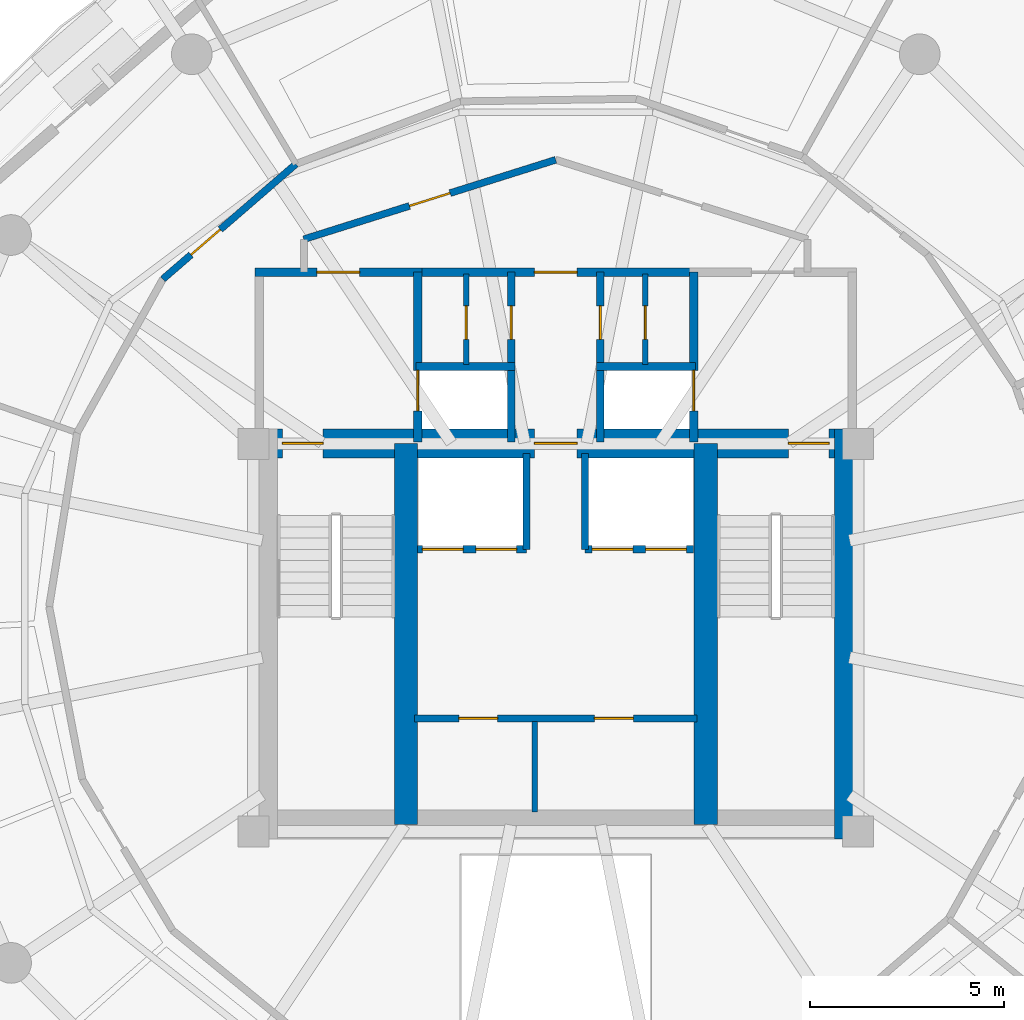
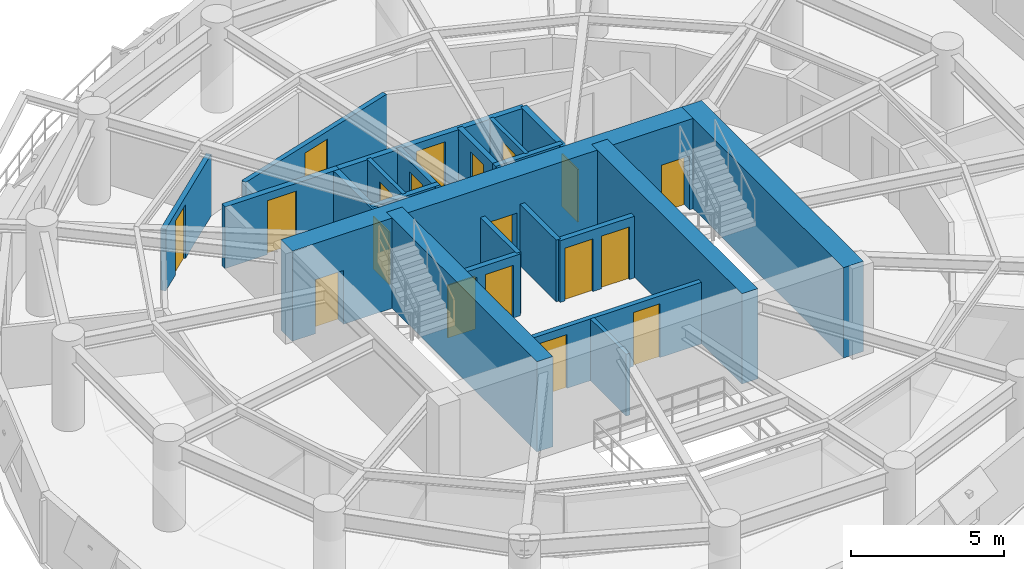
# One storey, part 8 of 12: 22 walls, 19 doors, 19 openings.
"""IFC4 building model written with IfcOpenShell, lengths in metres."""

from ifc_helpers import new_model, si_unit, direction, frame, frame_2d, origin, place, context, subcontext, project, spatial, rectangle, extrude, material, layer, layer_set, type_object, element, fill, save


model = new_model("IFC4")

# Units and contexts
model_context = context("Model", 3, precision=1e-05, world=origin(), true_north=direction((0.0, 1.0)))
body_context = subcontext(model_context, "Body", "Model", "MODEL_VIEW")
ifc_project = project(units=[si_unit("LENGTHUNIT", "METRE"), si_unit("AREAUNIT", "SQUARE_METRE"), si_unit("VOLUMEUNIT", "CUBIC_METRE"), si_unit("PLANEANGLEUNIT", "RADIAN"), si_unit("MASSUNIT", "GRAM", prefix="KILO"), si_unit("THERMODYNAMICTEMPERATUREUNIT", "KELVIN"), si_unit("POWERUNIT", "WATT")], contexts=[model_context])

# Site, building, storey
site_placement = place(None, origin())
site = spatial("IfcSite", under=ifc_project, at=site_placement, CompositionType="ELEMENT")
building_placement = place(site_placement, origin())
building = spatial("IfcBuilding", under=site, at=building_placement, Name="Ocrelia Relay Tower", CompositionType="ELEMENT")
storey_placement = place(building_placement, frame((0.0, 0.0, 202.39990234375)))
storey = spatial("IfcBuildingStorey", under=building, at=storey_placement, Name="L49", CompositionType="ELEMENT", Elevation=202.39990234375)

# Wall, openings, doors
ifc_material_1 = material(Name="Concrete C60/75", Category="concrete")
ifc_layer_1 = layer(ifc_material_1, 0.75, Name="Concrete C60/75")
ifc_layer_set_1 = layer_set([ifc_layer_1], Name="Concrete C60/75")
wall_type_1 = type_object("IfcWallType", Name="CW-CORE-750", PredefinedType="SHEAR", material=ifc_layer_set_1)
wall_1_placement = place(storey_placement, frame((26.072021484375, 30.012939453125, 0.0), z_axis=(0.0, 0.0, 1.0), x_axis=(1.0, 0.0, 0.0)))
wall_1 = element("IfcWall", 1, at=wall_1_placement, inside=storey, type_object=wall_type_1, Name="L49 Core Shear Wall N", PredefinedType="SHEAR", context=body_context, shape_type="SweptSolid", body=[
    extrude(rectangle(XDim=15.865966796875, YDim=0.75, at=frame_2d((7.93310546875, 0.0))), origin(), (0.0, 0.0, 1.0), 3.60009765625),
])
opening_1_placement = place(wall_1_placement, frame((0.8779296875, 0.0, 0.0)))
opening_1 = element("IfcOpeningElement", 2, at=opening_1_placement, cuts=wall_1, Name="Opening D-FD90", PredefinedType="OPENING", context=body_context, shape_type="SweptSolid", body=[
    extrude(rectangle(XDim=1.050048828125, YDim=2.14990234375, at=frame_2d((0.52490234375, 1.074951171875))), frame((0.0, 0.385009765625, 0.0), z_axis=(0.0, -1.0, 0.0), x_axis=(1.0, 0.0, 0.0)), (0.0, 0.0, 1.0), 0.77001953125),
])
opening_2_placement = place(wall_1_placement, frame((13.927978515625, 0.0, 0.0)))
opening_2 = element("IfcOpeningElement", 3, at=opening_2_placement, cuts=wall_1, Name="Opening D-FD90", PredefinedType="OPENING", context=body_context, shape_type="SweptSolid", body=[
    extrude(rectangle(XDim=1.050048828125, YDim=2.14990234375, at=frame_2d((0.52490234375, 1.074951171875))), frame((0.0, 0.385009765625, 0.0), z_axis=(0.0, -1.0, 0.0), x_axis=(1.0, 0.0, 0.0)), (0.0, 0.0, 1.0), 0.77001953125),
])
opening_3_placement = place(wall_1_placement, frame((7.3779296875, 0.0, 0.0)))
opening_3 = element("IfcOpeningElement", 4, at=opening_3_placement, cuts=wall_1, Name="Opening D-FD60", PredefinedType="OPENING", context=body_context, shape_type="SweptSolid", body=[
    extrude(rectangle(XDim=1.10009765625, YDim=2.14990234375, at=frame_2d((0.550048828125, 1.074951171875))), frame((0.0, 0.385009765625, 0.0), z_axis=(0.0, -1.0, 0.0), x_axis=(1.0, 0.0, 0.0)), (0.0, 0.0, 1.0), 0.77001953125),
])
ifc_material_2 = material(Name="Timber-core 60-min acoustic fire door", Category="wood")
door_type_1 = type_object("IfcDoorType", Name="DR-LOBBY-FD60-1100", OperationType="NOTDEFINED", PredefinedType="DOOR", material=ifc_material_2)
door_1_placement = place(opening_3_placement, origin())
door_1 = element("IfcDoor", 5, at=door_1_placement, inside=storey, type_object=door_type_1, Name="L49 Core Lift Lobby North Fire Door", OperationType="SINGLE_SWING_RIGHT", OverallHeight=2.14990234375, OverallWidth=1.10009765625, PredefinedType="DOOR", context=body_context, shape_type="SweptSolid", body=[
    extrude(rectangle(XDim=1.10009765625, YDim=2.14990234375, at=frame_2d((0.550048828125, 1.074951171875))), frame((0.0, 0.02490234375, 0.0), z_axis=(0.0, -1.0, 0.0), x_axis=(1.0, 0.0, 0.0)), (0.0, 0.0, 1.0), 0.050048828125),
])
fill(opening_3, door_1)
ifc_material_3 = material(Name="Steel S355 90-min fire door", Category="steel")
door_type_2 = type_object("IfcDoorType", Name="DR-STAIR-FD90-1050", OperationType="NOTDEFINED", PredefinedType="DOOR", material=ifc_material_3)
door_2_placement = place(opening_1_placement, origin())
door_2 = element("IfcDoor", 6, at=door_2_placement, inside=storey, type_object=door_type_2, Name="L49 Stair ST1 Fire Door", OperationType="SINGLE_SWING_RIGHT", OverallHeight=2.14990234375, OverallWidth=1.050048828125, PredefinedType="DOOR", context=body_context, shape_type="SweptSolid", body=[
    extrude(rectangle(XDim=1.050048828125, YDim=2.14990234375, at=frame_2d((0.52490234375, 1.074951171875))), frame((0.0, 0.02490234375, 0.0), z_axis=(0.0, -1.0, 0.0), x_axis=(1.0, 0.0, 0.0)), (0.0, 0.0, 1.0), 0.050048828125),
])
fill(opening_1, door_2)
door_3_placement = place(opening_2_placement, origin())
door_3 = element("IfcDoor", 7, at=door_3_placement, inside=storey, type_object=door_type_2, Name="L49 Stair ST2 Fire Door", OperationType="SINGLE_SWING_LEFT", OverallHeight=2.14990234375, OverallWidth=1.050048828125, PredefinedType="DOOR", context=body_context, shape_type="SweptSolid", body=[
    extrude(rectangle(XDim=1.050048828125, YDim=2.14990234375, at=frame_2d((0.52490234375, 1.074951171875))), frame((0.0, 0.02490234375, 0.0), z_axis=(0.0, -1.0, 0.0), x_axis=(1.0, 0.0, 0.0)), (0.0, 0.0, 1.0), 0.050048828125),
])
fill(opening_2, door_3)

# Walls
wall_2_placement = place(storey_placement, frame((41.56298828125, 19.81201171875, 0.0), z_axis=(0.0, 0.0, 1.0), x_axis=(0.0, 1.0, 0.0)))
element("IfcWall", 8, at=wall_2_placement, inside=storey, type_object=wall_type_1, Name="L49 Core Shear Wall E", PredefinedType="SHEAR", context=body_context, shape_type="SweptSolid", body=[
    extrude(rectangle(XDim=10.575927734375, YDim=0.75, at=frame_2d((5.2880859375, 0.0))), origin(), (0.0, 0.0, 1.0), 3.60009765625),
])
for number, where, z_axis, x_axis, name in (
    (9, (30.137939453125, 20.18701171875, 0.0), (0.0, 0.0, 1.0), (0.0, 1.0, 0.0), "L49 Core Shear Wall SPW"),
    (10, (37.8720703125, 20.18701171875, 0.0), (0.0, 0.0, 1.0), (0.0, 1.0, 0.0), "L49 Core Shear Wall SPE"),
):
    element("IfcWall", number, at=place(storey_placement, frame(where, z_axis=z_axis, x_axis=x_axis)), inside=storey, type_object=wall_type_1, Name=name, PredefinedType="SHEAR", context=body_context, shape_type="SweptSolid", body=[
        extrude(rectangle(XDim=9.825927734375, YDim=0.60009765625, at=frame_2d((4.9130859375, 0.0))), origin(), (0.0, 0.0, 1.0), 3.60009765625),
    ])

# Wall, openings, doors
ifc_material_4 = material(Name="Gypsum Fireboard Partition EI60", Category="gypsum")
ifc_layer_2 = layer(ifc_material_4, 0.179931640625, Name="Gypsum Fireboard Partition EI60")
ifc_layer_set_2 = layer_set([ifc_layer_2], Name="Gypsum Fireboard Partition EI60")
wall_type_2 = type_object("IfcWallType", Name="W-CORR-EI60-180", PredefinedType="PARTITIONING", material=ifc_layer_set_2)
wall_3_placement = place(storey_placement, frame((30.35009765625, 22.919921875, 0.0), z_axis=(0.0, 0.0, 1.0), x_axis=(1.0, 0.0, 0.0)))
wall_3 = element("IfcWall", 11, at=wall_3_placement, inside=storey, type_object=wall_type_2, Name="L49 Reclaimed Core Room Partition", PredefinedType="PARTITIONING", context=body_context, shape_type="SweptSolid", body=[
    extrude(rectangle(XDim=7.2998046875, YDim=0.179931640625, at=frame_2d((3.64990234375, 0.0))), origin(), (0.0, 0.0, 1.0), 2.460205078125),
])
opening_4_placement = place(wall_3_placement, frame((1.14990234375, 0.0, 0.0)))
opening_4 = element("IfcOpeningElement", 12, at=opening_4_placement, cuts=wall_3, Name="Opening D-RM100", PredefinedType="OPENING", context=body_context, shape_type="SweptSolid", body=[
    extrude(rectangle(XDim=1.0, YDim=2.14990234375, at=frame_2d((0.5, 1.074951171875))), frame((0.0, 0.10009765625, 0.0), z_axis=(0.0, -1.0, 0.0), x_axis=(1.0, 0.0, 0.0)), (0.0, 0.0, 1.0), 0.199951171875),
])
opening_5_placement = place(wall_3_placement, frame((4.64990234375, 0.0, 0.0)))
opening_5 = element("IfcOpeningElement", 13, at=opening_5_placement, cuts=wall_3, Name="Opening D-RM100", PredefinedType="OPENING", context=body_context, shape_type="SweptSolid", body=[
    extrude(rectangle(XDim=1.0, YDim=2.14990234375, at=frame_2d((0.5, 1.074951171875))), frame((0.0, 0.10009765625, 0.0), z_axis=(0.0, -1.0, 0.0), x_axis=(1.0, 0.0, 0.0)), (0.0, 0.0, 1.0), 0.199951171875),
])
ifc_material_5 = material(Name="Acoustic oak veneer fire door", Category="wood")
door_type_3 = type_object("IfcDoorType", Name="DR-ROOM-FD60-1000", OperationType="NOTDEFINED", PredefinedType="DOOR", material=ifc_material_5)
door_4_placement = place(opening_4_placement, origin())
door_4 = element("IfcDoor", 14, at=door_4_placement, inside=storey, type_object=door_type_3, Name="L49 Reclaimed Core Room 1 Door", OperationType="SINGLE_SWING_RIGHT", OverallHeight=2.14990234375, OverallWidth=1.0, PredefinedType="DOOR", context=body_context, shape_type="SweptSolid", body=[
    extrude(rectangle(XDim=1.0, YDim=2.14990234375, at=frame_2d((0.5, 1.074951171875))), frame((0.0, 0.02490234375, 0.0), z_axis=(0.0, -1.0, 0.0), x_axis=(1.0, 0.0, 0.0)), (0.0, 0.0, 1.0), 0.050048828125),
])
fill(opening_4, door_4)
door_5_placement = place(opening_5_placement, origin())
door_5 = element("IfcDoor", 15, at=door_5_placement, inside=storey, type_object=door_type_3, Name="L49 Reclaimed Core Room 2 Door", OperationType="SINGLE_SWING_LEFT", OverallHeight=2.14990234375, OverallWidth=1.0, PredefinedType="DOOR", context=body_context, shape_type="SweptSolid", body=[
    extrude(rectangle(XDim=1.0, YDim=2.14990234375, at=frame_2d((0.5, 1.074951171875))), frame((0.0, 0.02490234375, 0.0), z_axis=(0.0, -1.0, 0.0), x_axis=(1.0, 0.0, 0.0)), (0.0, 0.0, 1.0), 0.050048828125),
])
fill(opening_5, door_5)

# Wall, opening, door
wall_4_placement = place(storey_placement, frame((27.5, 35.280029296875, 0.0), z_axis=(0.0, 0.0, 1.0), x_axis=(0.953691418528, 0.300786765376, 0.0)))
wall_4 = element("IfcWall", 16, at=wall_4_placement, inside=storey, type_object=wall_type_2, Name="L49 North Smoke Lobby W Screen Wall", PredefinedType="PARTITIONING", context=body_context, shape_type="SweptSolid", body=[
    extrude(rectangle(XDim=6.815673828125, YDim=0.179931640625, at=frame_2d((3.40771484375, 0.0))), origin(), (0.0, 0.0, 1.0), 2.460205078125),
])
opening_6_placement = place(wall_4_placement, frame((2.85791015625, 0.0, 0.0)))
opening_6 = element("IfcOpeningElement", 17, at=opening_6_placement, cuts=wall_4, Name="Opening D-FD60", PredefinedType="OPENING", context=body_context, shape_type="SweptSolid", body=[
    extrude(rectangle(XDim=1.10009765625, YDim=2.14990234375, at=frame_2d((0.550048828125, 1.074951171875))), frame((0.0, 0.10009765625, 0.0), z_axis=(0.0, -1.0, 0.0), x_axis=(1.0, 0.0, 0.0)), (0.0, 0.0, 1.0), 0.199951171875),
])
door_6_placement = place(opening_6_placement, origin())
door_6 = element("IfcDoor", 18, at=door_6_placement, inside=storey, type_object=door_type_1, Name="L49 North Smoke Lobby W Fire Door", OperationType="SINGLE_SWING_RIGHT", OverallHeight=2.14990234375, OverallWidth=1.10009765625, PredefinedType="DOOR", context=body_context, shape_type="SweptSolid", body=[
    extrude(rectangle(XDim=1.10009765625, YDim=2.14990234375, at=frame_2d((0.550048828125, 1.074951171875))), frame((0.0, 0.02490234375, 0.0), z_axis=(0.0, -1.0, 0.0), x_axis=(1.0, 0.0, 0.0)), (0.0, 0.0, 1.0), 0.050048828125),
])
fill(opening_6, door_6)

wall_5_placement = place(storey_placement, frame((27.2978515625, 37.220703125, 0.0), z_axis=(0.0, 0.0, 1.0), x_axis=(-0.756428618382, -0.654076253423, 0.0)))
wall_5 = element("IfcWall", 19, at=wall_5_placement, inside=storey, type_object=wall_type_2, Name="L49 Hardware Archive Store Corridor Partition 1", PredefinedType="PARTITIONING", context=body_context, shape_type="SweptSolid", body=[
    extrude(rectangle(XDim=4.539306640625, YDim=0.179931640625, at=frame_2d((2.26953125, 0.0))), origin(), (0.0, 0.0, 1.0), 2.460205078125),
])
opening_7_placement = place(wall_5_placement, frame((2.579345703125, 0.0, 0.0)))
opening_7 = element("IfcOpeningElement", 20, at=opening_7_placement, cuts=wall_5, Name="Opening D-RM100", PredefinedType="OPENING", context=body_context, shape_type="SweptSolid", body=[
    extrude(rectangle(XDim=1.0, YDim=2.14990234375, at=frame_2d((0.5, 1.074951171875))), frame((0.0, 0.10009765625, 0.0), z_axis=(0.0, -1.0, 0.0), x_axis=(1.0, 0.0, 0.0)), (0.0, 0.0, 1.0), 0.199951171875),
])
door_7_placement = place(opening_7_placement, origin())
door_7 = element("IfcDoor", 21, at=door_7_placement, inside=storey, type_object=door_type_3, Name="L49 Hardware Archive Store Entrance Door", OperationType="SINGLE_SWING_RIGHT", OverallHeight=2.14990234375, OverallWidth=1.0, PredefinedType="DOOR", context=body_context, shape_type="SweptSolid", body=[
    extrude(rectangle(XDim=1.0, YDim=2.14990234375, at=frame_2d((0.5, 1.074951171875))), frame((0.0, 0.02490234375, 0.0), z_axis=(0.0, -1.0, 0.0), x_axis=(1.0, 0.0, 0.0)), (0.0, 0.0, 1.0), 0.050048828125),
])
fill(opening_7, door_7)

ifc_material_6 = material(Name="Concrete C50/60", Category="concrete")
ifc_layer_3 = layer(ifc_material_6, 0.219970703125, Name="Concrete C50/60")
ifc_layer_set_3 = layer_set([ifc_layer_3], Name="Concrete C50/60")
wall_type_3 = type_object("IfcWallType", Name="W-FFL-EI120-220", PredefinedType="SOLIDWALL", material=ifc_layer_set_3)
wall_6_placement = place(storey_placement, frame((30.43994140625, 30.050048828125, 0.0), z_axis=(0.0, 0.0, 1.0), x_axis=(0.0, 1.0, 0.0)))
wall_6 = element("IfcWall", 22, at=wall_6_placement, inside=storey, type_object=wall_type_3, Name="L49 W Fire Service Lift Lobby East Wall", PredefinedType="SOLIDWALL", context=body_context, shape_type="SweptSolid", body=[
    extrude(rectangle(XDim=4.3798828125, YDim=0.219970703125, at=frame_2d((2.18994140625, 0.0))), origin(), (0.0, 0.0, 1.0), 2.460205078125),
])
opening_8_placement = place(wall_6_placement, frame((0.800048828125, 0.0, 0.0)))
opening_8 = element("IfcOpeningElement", 23, at=opening_8_placement, cuts=wall_6, Name="Opening LD-FFL1", PredefinedType="OPENING", context=body_context, shape_type="SweptSolid", body=[
    extrude(rectangle(XDim=1.050048828125, YDim=2.10009765625, at=frame_2d((0.52490234375, 1.050048828125))), frame((0.0, 0.1201171875, 0.0), z_axis=(0.0, -1.0, 0.0), x_axis=(1.0, 0.0, 0.0)), (0.0, 0.0, 1.0), 0.239990234375),
])
ifc_material_7 = material(Name="Brushed stainless steel S355 lift landing door", Category="steel")
door_type_4 = type_object("IfcDoorType", Name="DR-LIFT-LAND-1050", OperationType="DOUBLE_DOOR_SLIDING", PredefinedType="USERDEFINED", material=ifc_material_7)
door_8_placement = place(opening_8_placement, origin())
door_8 = element("IfcDoor", 24, at=door_8_placement, inside=storey, type_object=door_type_4, Name="L49 Firefighting Lift FFL1 Sliding Landing Door", ObjectType="LANDING DOOR", OperationType="DOUBLE_DOOR_SLIDING", OverallHeight=2.10009765625, OverallWidth=1.050048828125, PredefinedType="USERDEFINED", context=body_context, shape_type="SweptSolid", body=[
    extrude(rectangle(XDim=1.050048828125, YDim=2.10009765625, at=frame_2d((0.52490234375, 1.050048828125))), frame((0.0, 0.02490234375, 0.0), z_axis=(0.0, -1.0, 0.0), x_axis=(1.0, 0.0, 0.0)), (0.0, 0.0, 1.0), 0.050048828125),
])
fill(opening_8, door_8)

wall_7_placement = place(storey_placement, frame((26.239990234375, 34.429931640625, 0.0), z_axis=(0.0, 0.0, 1.0), x_axis=(1.0, 0.0, 0.0)))
wall_7 = element("IfcWall", 25, at=wall_7_placement, inside=storey, type_object=wall_type_3, Name="L49 W Fire Service Lift Lobby North Wall", PredefinedType="SOLIDWALL", context=body_context, shape_type="SweptSolid", body=[
    extrude(rectangle(XDim=4.31005859375, YDim=0.219970703125, at=frame_2d((2.155029296875, 0.0))), origin(), (0.0, 0.0, 1.0), 2.460205078125),
])
opening_9_placement = place(wall_7_placement, frame((1.60009765625, 0.0, 0.0)))
opening_9 = element("IfcOpeningElement", 26, at=opening_9_placement, cuts=wall_7, Name="Opening D-FD60", PredefinedType="OPENING", context=body_context, shape_type="SweptSolid", body=[
    extrude(rectangle(XDim=1.10009765625, YDim=2.14990234375, at=frame_2d((0.550048828125, 1.074951171875))), frame((0.0, 0.1201171875, 0.0), z_axis=(0.0, -1.0, 0.0), x_axis=(1.0, 0.0, 0.0)), (0.0, 0.0, 1.0), 0.239990234375),
])
door_9_placement = place(opening_9_placement, origin())
door_9 = element("IfcDoor", 27, at=door_9_placement, inside=storey, type_object=door_type_1, Name="L49 W Fire Service Lift Lobby Exit Door", OperationType="SINGLE_SWING_LEFT", OverallHeight=2.14990234375, OverallWidth=1.10009765625, PredefinedType="DOOR", context=body_context, shape_type="SweptSolid", body=[
    extrude(rectangle(XDim=1.10009765625, YDim=2.14990234375, at=frame_2d((0.550048828125, 1.074951171875))), frame((0.0, 0.02490234375, 0.0), z_axis=(0.0, -1.0, 0.0), x_axis=(1.0, 0.0, 0.0)), (0.0, 0.0, 1.0), 0.050048828125),
])
fill(opening_9, door_9)

wall_8_placement = place(storey_placement, frame((37.56005859375, 30.050048828125, 0.0), z_axis=(0.0, 0.0, 1.0), x_axis=(0.0, 1.0, 0.0)))
wall_8 = element("IfcWall", 28, at=wall_8_placement, inside=storey, type_object=wall_type_3, Name="L49 E Fire Service Lift Lobby West Wall", PredefinedType="SOLIDWALL", context=body_context, shape_type="SweptSolid", body=[
    extrude(rectangle(XDim=4.3798828125, YDim=0.219970703125, at=frame_2d((2.18994140625, 0.0))), origin(), (0.0, 0.0, 1.0), 2.460205078125),
])
opening_10_placement = place(wall_8_placement, frame((0.800048828125, 0.0, 0.0)))
opening_10 = element("IfcOpeningElement", 29, at=opening_10_placement, cuts=wall_8, Name="Opening LD-FFL2", PredefinedType="OPENING", context=body_context, shape_type="SweptSolid", body=[
    extrude(rectangle(XDim=1.050048828125, YDim=2.10009765625, at=frame_2d((0.52490234375, 1.050048828125))), frame((0.0, 0.1201171875, 0.0), z_axis=(0.0, -1.0, 0.0), x_axis=(1.0, 0.0, 0.0)), (0.0, 0.0, 1.0), 0.239990234375),
])
door_10_placement = place(opening_10_placement, origin())
door_10 = element("IfcDoor", 30, at=door_10_placement, inside=storey, type_object=door_type_4, Name="L49 Firefighting Lift FFL2 Sliding Landing Door", ObjectType="LANDING DOOR", OperationType="DOUBLE_DOOR_SLIDING", OverallHeight=2.10009765625, OverallWidth=1.050048828125, PredefinedType="USERDEFINED", context=body_context, shape_type="SweptSolid", body=[
    extrude(rectangle(XDim=1.050048828125, YDim=2.10009765625, at=frame_2d((0.52490234375, 1.050048828125))), frame((0.0, 0.02490234375, 0.0), z_axis=(0.0, -1.0, 0.0), x_axis=(1.0, 0.0, 0.0)), (0.0, 0.0, 1.0), 0.050048828125),
])
fill(opening_10, door_10)

wall_9_placement = place(storey_placement, frame((30.43994140625, 34.429931640625, 0.0), z_axis=(0.0, 0.0, 1.0), x_axis=(1.0, 0.0, 0.0)))
wall_9 = element("IfcWall", 31, at=wall_9_placement, inside=storey, type_object=wall_type_3, Name="L49 North Core Vestibule Wall", PredefinedType="SOLIDWALL", context=body_context, shape_type="SweptSolid", body=[
    extrude(rectangle(XDim=7.1201171875, YDim=0.219970703125, at=frame_2d((3.56005859375, 0.0))), origin(), (0.0, 0.0, 1.0), 2.460205078125),
])
opening_11_placement = place(wall_9_placement, frame((3.010009765625, 0.0, 0.0)))
opening_11 = element("IfcOpeningElement", 32, at=opening_11_placement, cuts=wall_9, Name="Opening D-FD60", PredefinedType="OPENING", context=body_context, shape_type="SweptSolid", body=[
    extrude(rectangle(XDim=1.10009765625, YDim=2.14990234375, at=frame_2d((0.550048828125, 1.074951171875))), frame((0.0, 0.1201171875, 0.0), z_axis=(0.0, -1.0, 0.0), x_axis=(1.0, 0.0, 0.0)), (0.0, 0.0, 1.0), 0.239990234375),
])
door_11_placement = place(opening_11_placement, origin())
door_11 = element("IfcDoor", 33, at=door_11_placement, inside=storey, type_object=door_type_1, Name="L49 North Core Vestibule Corridor Door", OperationType="SINGLE_SWING_LEFT", OverallHeight=2.14990234375, OverallWidth=1.10009765625, PredefinedType="DOOR", context=body_context, shape_type="SweptSolid", body=[
    extrude(rectangle(XDim=1.10009765625, YDim=2.14990234375, at=frame_2d((0.550048828125, 1.074951171875))), frame((0.0, 0.02490234375, 0.0), z_axis=(0.0, -1.0, 0.0), x_axis=(1.0, 0.0, 0.0)), (0.0, 0.0, 1.0), 0.050048828125),
])
fill(opening_11, door_11)

ifc_material_8 = material(Name="Acoustic Fireboard Partition EI60", Category="gypsum")
ifc_layer_4 = layer(ifc_material_8, 0.14990234375, Name="Acoustic Fireboard Partition EI60")
ifc_layer_set_4 = layer_set([ifc_layer_4], Name="Acoustic Fireboard Partition EI60")
wall_type_4 = type_object("IfcWallType", Name="W-PART-150", PredefinedType="PARTITIONING", material=ifc_layer_set_4)
wall_10_placement = place(storey_placement, frame((31.68994140625, 32.050048828125, 0.0), z_axis=(0.0, 0.0, 1.0), x_axis=(0.0, 1.0, 0.0)))
wall_10 = element("IfcWall", 34, at=wall_10_placement, inside=storey, type_object=wall_type_4, Name="L49 West Core Support Partition", PredefinedType="PARTITIONING", context=body_context, shape_type="SweptSolid", body=[
    extrude(rectangle(XDim=2.329833984375, YDim=0.14990234375, at=frame_2d((1.1650390625, 0.0))), origin(), (0.0, 0.0, 1.0), 2.460205078125),
])
opening_12_placement = place(wall_10_placement, frame((0.64990234375, 0.0, 0.0)))
opening_12 = element("IfcOpeningElement", 35, at=opening_12_placement, cuts=wall_10, Name="Opening D-RS86", PredefinedType="OPENING", context=body_context, shape_type="SweptSolid", body=[
    extrude(rectangle(XDim=0.860107421875, YDim=2.050048828125, at=frame_2d((0.43017578125, 1.02490234375))), frame((0.0, 0.0849609375, 0.0), z_axis=(0.0, -1.0, 0.0), x_axis=(1.0, 0.0, 0.0)), (0.0, 0.0, 1.0), 0.169921875),
])
ifc_material_9 = material(Name="Steel S355 riser access fire door", Category="steel")
door_type_5 = type_object("IfcDoorType", Name="DR-RISER-TRAP-860", OperationType="NOTDEFINED", PredefinedType="TRAPDOOR", material=ifc_material_9)
door_12_placement = place(opening_12_placement, origin())
door_12 = element("IfcDoor", 36, at=door_12_placement, inside=storey, type_object=door_type_5, Name="L49 West Core Store Connecting Door", OperationType="SINGLE_SWING_RIGHT", OverallHeight=2.050048828125, OverallWidth=0.860107421875, PredefinedType="TRAPDOOR", context=body_context, shape_type="SweptSolid", body=[
    extrude(rectangle(XDim=0.860107421875, YDim=2.050048828125, at=frame_2d((0.43017578125, 1.02490234375))), frame((0.0, 0.02490234375, 0.0), z_axis=(0.0, -1.0, 0.0), x_axis=(1.0, 0.0, 0.0)), (0.0, 0.0, 1.0), 0.050048828125),
])
fill(opening_12, door_12)

wall_11_placement = place(storey_placement, frame((36.31005859375, 32.050048828125, 0.0), z_axis=(0.0, 0.0, 1.0), x_axis=(0.0, 1.0, 0.0)))
wall_11 = element("IfcWall", 37, at=wall_11_placement, inside=storey, type_object=wall_type_4, Name="L49 East Core Support Partition", PredefinedType="PARTITIONING", context=body_context, shape_type="SweptSolid", body=[
    extrude(rectangle(XDim=2.329833984375, YDim=0.14990234375, at=frame_2d((1.1650390625, 0.0))), origin(), (0.0, 0.0, 1.0), 2.460205078125),
])
opening_13_placement = place(wall_11_placement, frame((0.64990234375, 0.0, 0.0)))
opening_13 = element("IfcOpeningElement", 38, at=opening_13_placement, cuts=wall_11, Name="Opening D-RS86", PredefinedType="OPENING", context=body_context, shape_type="SweptSolid", body=[
    extrude(rectangle(XDim=0.860107421875, YDim=2.050048828125, at=frame_2d((0.43017578125, 1.02490234375))), frame((0.0, 0.0849609375, 0.0), z_axis=(0.0, -1.0, 0.0), x_axis=(1.0, 0.0, 0.0)), (0.0, 0.0, 1.0), 0.169921875),
])
door_13_placement = place(opening_13_placement, origin())
door_13 = element("IfcDoor", 39, at=door_13_placement, inside=storey, type_object=door_type_5, Name="L49 East Core Store Connecting Door", OperationType="SINGLE_SWING_LEFT", OverallHeight=2.050048828125, OverallWidth=0.860107421875, PredefinedType="TRAPDOOR", context=body_context, shape_type="SweptSolid", body=[
    extrude(rectangle(XDim=0.860107421875, YDim=2.050048828125, at=frame_2d((0.43017578125, 1.02490234375))), frame((0.0, 0.02490234375, 0.0), z_axis=(0.0, -1.0, 0.0), x_axis=(1.0, 0.0, 0.0)), (0.0, 0.0, 1.0), 0.050048828125),
])
fill(opening_13, door_13)

# Walls
wall_12_placement = place(storey_placement, frame((33.4599609375, 20.5, 0.0), z_axis=(0.0, 0.0, 1.0), x_axis=(0.0, 1.0, 0.0)))
element("IfcWall", 40, at=wall_12_placement, inside=storey, type_object=wall_type_4, Name="L49 Reclaimed Core Dividing Wall", PredefinedType="PARTITIONING", context=body_context, shape_type="SweptSolid", body=[
    extrude(rectangle(XDim=2.340087890625, YDim=0.14990234375, at=frame_2d((1.169921875, 0.0))), origin(), (0.0, 0.0, 1.0), 2.460205078125),
])
ifc_layer_5 = layer(ifc_material_6, 0.199951171875, Name="Concrete C50/60")
ifc_layer_set_5 = layer_set([ifc_layer_5], Name="Concrete C50/60")
wall_type_5 = type_object("IfcWallType", Name="W-SHAFT-EI120-200", PredefinedType="SOLIDWALL", material=ifc_layer_set_5)
wall_13_placement = place(storey_placement, frame((30.39990234375, 32.0, 0.0), z_axis=(0.0, 0.0, 1.0), x_axis=(1.0, 0.0, 0.0)))
element("IfcWall", 41, at=wall_13_placement, inside=storey, type_object=wall_type_5, Name="L49 FFL1 Hoistway North Wall", PredefinedType="SOLIDWALL", context=body_context, shape_type="SweptSolid", body=[
    extrude(rectangle(XDim=2.550048828125, YDim=0.199951171875, at=frame_2d((1.27490234375, 0.0))), origin(), (0.0, 0.0, 1.0), 2.460205078125),
])

# Wall, opening, door
wall_14_placement = place(storey_placement, frame((32.85009765625, 30.050048828125, 0.0), z_axis=(0.0, 0.0, 1.0), x_axis=(0.0, 1.0, 0.0)))
wall_14 = element("IfcWall", 42, at=wall_14_placement, inside=storey, type_object=wall_type_5, Name="L49 FFL1 and Service Vestibule Wall", PredefinedType="SOLIDWALL", context=body_context, shape_type="SweptSolid", body=[
    extrude(rectangle(XDim=4.3798828125, YDim=0.199951171875, at=frame_2d((2.18994140625, 0.0))), origin(), (0.0, 0.0, 1.0), 2.460205078125),
])
opening_14_placement = place(wall_14_placement, frame((2.64990234375, 0.0, 0.0)))
opening_14 = element("IfcOpeningElement", 43, at=opening_14_placement, cuts=wall_14, Name="Opening D-RS86", PredefinedType="OPENING", context=body_context, shape_type="SweptSolid", body=[
    extrude(rectangle(XDim=0.860107421875, YDim=2.050048828125, at=frame_2d((0.43017578125, 1.02490234375))), frame((0.0, 0.10986328125, 0.0), z_axis=(0.0, -1.0, 0.0), x_axis=(1.0, 0.0, 0.0)), (0.0, 0.0, 1.0), 0.219970703125),
])
door_14_placement = place(opening_14_placement, origin())
door_14 = element("IfcDoor", 44, at=door_14_placement, inside=storey, type_object=door_type_5, Name="L49 Core Support Room W Door", OperationType="SINGLE_SWING_RIGHT", OverallHeight=2.050048828125, OverallWidth=0.860107421875, PredefinedType="TRAPDOOR", context=body_context, shape_type="SweptSolid", body=[
    extrude(rectangle(XDim=0.860107421875, YDim=2.050048828125, at=frame_2d((0.43017578125, 1.02490234375))), frame((0.0, 0.02490234375, 0.0), z_axis=(0.0, -1.0, 0.0), x_axis=(1.0, 0.0, 0.0)), (0.0, 0.0, 1.0), 0.050048828125),
])
fill(opening_14, door_14)

# Wall
wall_15_placement = place(storey_placement, frame((35.050048828125, 32.0, 0.0), z_axis=(0.0, 0.0, 1.0), x_axis=(1.0, 0.0, 0.0)))
element("IfcWall", 45, at=wall_15_placement, inside=storey, type_object=wall_type_5, Name="L49 FFL2 Hoistway North Wall", PredefinedType="SOLIDWALL", context=body_context, shape_type="SweptSolid", body=[
    extrude(rectangle(XDim=2.550048828125, YDim=0.199951171875, at=frame_2d((1.27490234375, 0.0))), origin(), (0.0, 0.0, 1.0), 2.460205078125),
])

# Wall, opening, door
wall_16_placement = place(storey_placement, frame((35.14990234375, 30.050048828125, 0.0), z_axis=(0.0, 0.0, 1.0), x_axis=(0.0, 1.0, 0.0)))
wall_16 = element("IfcWall", 46, at=wall_16_placement, inside=storey, type_object=wall_type_5, Name="L49 FFL2 and Service Vestibule Wall", PredefinedType="SOLIDWALL", context=body_context, shape_type="SweptSolid", body=[
    extrude(rectangle(XDim=4.3798828125, YDim=0.199951171875, at=frame_2d((2.18994140625, 0.0))), origin(), (0.0, 0.0, 1.0), 2.460205078125),
])
opening_15_placement = place(wall_16_placement, frame((2.64990234375, 0.0, 0.0)))
opening_15 = element("IfcOpeningElement", 47, at=opening_15_placement, cuts=wall_16, Name="Opening D-RS86", PredefinedType="OPENING", context=body_context, shape_type="SweptSolid", body=[
    extrude(rectangle(XDim=0.860107421875, YDim=2.050048828125, at=frame_2d((0.43017578125, 1.02490234375))), frame((0.0, 0.10986328125, 0.0), z_axis=(0.0, -1.0, 0.0), x_axis=(1.0, 0.0, 0.0)), (0.0, 0.0, 1.0), 0.219970703125),
])
door_15_placement = place(opening_15_placement, origin())
door_15 = element("IfcDoor", 48, at=door_15_placement, inside=storey, type_object=door_type_5, Name="L49 Core Support Room E Door", OperationType="SINGLE_SWING_RIGHT", OverallHeight=2.050048828125, OverallWidth=0.860107421875, PredefinedType="TRAPDOOR", context=body_context, shape_type="SweptSolid", body=[
    extrude(rectangle(XDim=0.860107421875, YDim=2.050048828125, at=frame_2d((0.43017578125, 1.02490234375))), frame((0.0, 0.02490234375, 0.0), z_axis=(0.0, -1.0, 0.0), x_axis=(1.0, 0.0, 0.0)), (0.0, 0.0, 1.0), 0.050048828125),
])
fill(opening_15, door_15)

# Wall, openings, doors
wall_17_placement = place(storey_placement, frame((30.43994140625, 27.280029296875, 0.0), z_axis=(0.0, 0.0, 1.0), x_axis=(1.0, 0.0, 0.0)))
wall_17 = element("IfcWall", 49, at=wall_17_placement, inside=storey, type_object=wall_type_5, Name="L49 High-Rise Lift Hoistway Wall W", PredefinedType="SOLIDWALL", context=body_context, shape_type="SweptSolid", body=[
    extrude(rectangle(XDim=2.81005859375, YDim=0.199951171875, at=frame_2d((1.405029296875, 0.0))), origin(), (0.0, 0.0, 1.0), 2.460205078125),
])
opening_16_placement = place(wall_17_placement, frame((0.1201171875, 0.0, 0.0)))
opening_16 = element("IfcOpeningElement", 50, at=opening_16_placement, cuts=wall_17, Name="Opening LD-PL5", PredefinedType="OPENING", context=body_context, shape_type="SweptSolid", body=[
    extrude(rectangle(XDim=1.050048828125, YDim=2.10009765625, at=frame_2d((0.52490234375, 1.050048828125))), frame((0.0, 0.10986328125, 0.0), z_axis=(0.0, -1.0, 0.0), x_axis=(1.0, 0.0, 0.0)), (0.0, 0.0, 1.0), 0.219970703125),
])
opening_17_placement = place(wall_17_placement, frame((1.5, 0.0, 0.0)))
opening_17 = element("IfcOpeningElement", 51, at=opening_17_placement, cuts=wall_17, Name="Opening LD-PL6", PredefinedType="OPENING", context=body_context, shape_type="SweptSolid", body=[
    extrude(rectangle(XDim=1.050048828125, YDim=2.10009765625, at=frame_2d((0.52490234375, 1.050048828125))), frame((0.0, 0.10986328125, 0.0), z_axis=(0.0, -1.0, 0.0), x_axis=(1.0, 0.0, 0.0)), (0.0, 0.0, 1.0), 0.219970703125),
])
door_16_placement = place(opening_16_placement, origin())
door_16 = element("IfcDoor", 52, at=door_16_placement, inside=storey, type_object=door_type_4, Name="L49 High-Rise Lift PL5 Sliding Landing Door", ObjectType="LANDING DOOR", OperationType="DOUBLE_DOOR_SLIDING", OverallHeight=2.10009765625, OverallWidth=1.050048828125, PredefinedType="USERDEFINED", context=body_context, shape_type="SweptSolid", body=[
    extrude(rectangle(XDim=1.050048828125, YDim=2.10009765625, at=frame_2d((0.52490234375, 1.050048828125))), frame((0.0, 0.02490234375, 0.0), z_axis=(0.0, -1.0, 0.0), x_axis=(1.0, 0.0, 0.0)), (0.0, 0.0, 1.0), 0.050048828125),
])
fill(opening_16, door_16)
door_17_placement = place(opening_17_placement, origin())
door_17 = element("IfcDoor", 53, at=door_17_placement, inside=storey, type_object=door_type_4, Name="L49 High-Rise Lift PL6 Sliding Landing Door", ObjectType="LANDING DOOR", OperationType="DOUBLE_DOOR_SLIDING", OverallHeight=2.10009765625, OverallWidth=1.050048828125, PredefinedType="USERDEFINED", context=body_context, shape_type="SweptSolid", body=[
    extrude(rectangle(XDim=1.050048828125, YDim=2.10009765625, at=frame_2d((0.52490234375, 1.050048828125))), frame((0.0, 0.02490234375, 0.0), z_axis=(0.0, -1.0, 0.0), x_axis=(1.0, 0.0, 0.0)), (0.0, 0.0, 1.0), 0.050048828125),
])
fill(opening_17, door_17)

# Wall
wall_18_placement = place(storey_placement, frame((33.25, 27.280029296875, 0.0), z_axis=(0.0, 0.0, 1.0), x_axis=(0.0, 1.0, 0.0)))
element("IfcWall", 54, at=wall_18_placement, inside=storey, type_object=wall_type_5, Name="L49 High-Rise Lift Throat Wall W", PredefinedType="SOLIDWALL", context=body_context, shape_type="SweptSolid", body=[
    extrude(rectangle(XDim=2.469970703125, YDim=0.179931640625, at=frame_2d((1.23486328125, 0.0))), origin(), (0.0, 0.0, 1.0), 2.460205078125),
])

# Wall, openings, doors
wall_19_placement = place(storey_placement, frame((34.75, 27.280029296875, 0.0), z_axis=(0.0, 0.0, 1.0), x_axis=(1.0, 0.0, 0.0)))
wall_19 = element("IfcWall", 55, at=wall_19_placement, inside=storey, type_object=wall_type_5, Name="L49 High-Rise Lift Hoistway Wall E", PredefinedType="SOLIDWALL", context=body_context, shape_type="SweptSolid", body=[
    extrude(rectangle(XDim=2.81005859375, YDim=0.199951171875, at=frame_2d((1.405029296875, 0.0))), origin(), (0.0, 0.0, 1.0), 2.460205078125),
])
opening_18_placement = place(wall_19_placement, frame((0.18994140625, 0.0, 0.0)))
opening_18 = element("IfcOpeningElement", 56, at=opening_18_placement, cuts=wall_19, Name="Opening LD-PL7", PredefinedType="OPENING", context=body_context, shape_type="SweptSolid", body=[
    extrude(rectangle(XDim=1.050048828125, YDim=2.10009765625, at=frame_2d((0.52490234375, 1.050048828125))), frame((0.0, 0.10986328125, 0.0), z_axis=(0.0, -1.0, 0.0), x_axis=(1.0, 0.0, 0.0)), (0.0, 0.0, 1.0), 0.219970703125),
])
opening_19_placement = place(wall_19_placement, frame((1.570068359375, 0.0, 0.0)))
opening_19 = element("IfcOpeningElement", 57, at=opening_19_placement, cuts=wall_19, Name="Opening LD-PL8", PredefinedType="OPENING", context=body_context, shape_type="SweptSolid", body=[
    extrude(rectangle(XDim=1.050048828125, YDim=2.10009765625, at=frame_2d((0.52490234375, 1.050048828125))), frame((0.0, 0.10986328125, 0.0), z_axis=(0.0, -1.0, 0.0), x_axis=(1.0, 0.0, 0.0)), (0.0, 0.0, 1.0), 0.219970703125),
])
door_18_placement = place(opening_18_placement, origin())
door_18 = element("IfcDoor", 58, at=door_18_placement, inside=storey, type_object=door_type_4, Name="L49 High-Rise Lift PL7 Sliding Landing Door", ObjectType="LANDING DOOR", OperationType="DOUBLE_DOOR_SLIDING", OverallHeight=2.10009765625, OverallWidth=1.050048828125, PredefinedType="USERDEFINED", context=body_context, shape_type="SweptSolid", body=[
    extrude(rectangle(XDim=1.050048828125, YDim=2.10009765625, at=frame_2d((0.52490234375, 1.050048828125))), frame((0.0, 0.02490234375, 0.0), z_axis=(0.0, -1.0, 0.0), x_axis=(1.0, 0.0, 0.0)), (0.0, 0.0, 1.0), 0.050048828125),
])
fill(opening_18, door_18)
door_19_placement = place(opening_19_placement, origin())
door_19 = element("IfcDoor", 59, at=door_19_placement, inside=storey, type_object=door_type_4, Name="L49 High-Rise Lift PL8 Sliding Landing Door", ObjectType="LANDING DOOR", OperationType="DOUBLE_DOOR_SLIDING", OverallHeight=2.10009765625, OverallWidth=1.050048828125, PredefinedType="USERDEFINED", context=body_context, shape_type="SweptSolid", body=[
    extrude(rectangle(XDim=1.050048828125, YDim=2.10009765625, at=frame_2d((0.52490234375, 1.050048828125))), frame((0.0, 0.02490234375, 0.0), z_axis=(0.0, -1.0, 0.0), x_axis=(1.0, 0.0, 0.0)), (0.0, 0.0, 1.0), 0.050048828125),
])
fill(opening_19, door_19)

# Wall
wall_20_placement = place(storey_placement, frame((34.75, 27.280029296875, 0.0), z_axis=(0.0, 0.0, 1.0), x_axis=(0.0, 1.0, 0.0)))
element("IfcWall", 60, at=wall_20_placement, inside=storey, type_object=wall_type_5, Name="L49 High-Rise Lift Throat Wall E", PredefinedType="SOLIDWALL", context=body_context, shape_type="SweptSolid", body=[
    extrude(rectangle(XDim=2.469970703125, YDim=0.179931640625, at=frame_2d((1.23486328125, 0.0))), origin(), (0.0, 0.0, 1.0), 2.460205078125),
])

save(model, "model.ifc")
